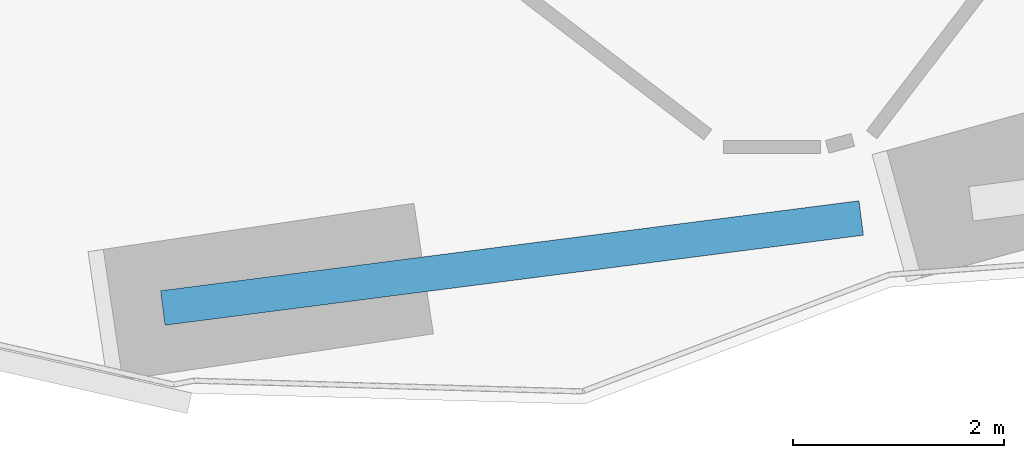
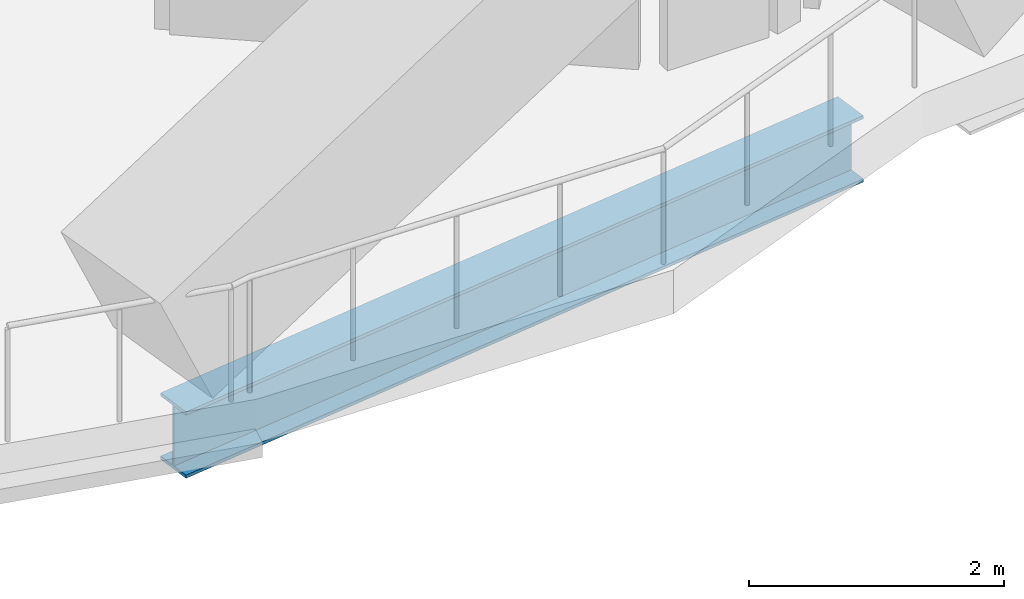
# One storey, part 3 of 29: 1 beam.
"""IFC4 building model written with IfcOpenShell, lengths in metres."""

from ifc_helpers import new_model, si_unit, direction, frame, origin, origin_2d, place, context, subcontext, project, spatial, i_section, extrude, material, material_profile, profile_set, type_object, element, save


model = new_model("IFC4")

# Units and contexts
model_context = context("Model", 3, precision=1e-05, world=origin(), true_north=direction((0.0, 1.0)))
body_context = subcontext(model_context, "Body", "Model", "MODEL_VIEW")
ifc_project = project(units=[si_unit("LENGTHUNIT", "METRE"), si_unit("AREAUNIT", "SQUARE_METRE"), si_unit("VOLUMEUNIT", "CUBIC_METRE"), si_unit("PLANEANGLEUNIT", "RADIAN"), si_unit("MASSUNIT", "GRAM", prefix="KILO")], contexts=[model_context])

# Site, building, storey
site_placement = place(None, origin())
site = spatial("IfcSite", under=ifc_project, at=site_placement, CompositionType="ELEMENT")
building_placement = place(site_placement, origin())
building = spatial("IfcBuilding", under=site, at=building_placement, Name="Orlundy Tower", CompositionType="ELEMENT")
storey_placement = place(building_placement, frame((0.0, 0.0, 184.60009765625)))
storey = spatial("IfcBuildingStorey", under=building, at=storey_placement, Name="L48", CompositionType="ELEMENT", Elevation=184.60009765625)

# Beam
ifc_material = material(Name="Steel ASTM A992 Gr 50", Category="steel")
ifc_material_profile = material_profile(ifc_material, i_section(OverallWidth=0.3291015625, OverallDepth=0.635009765625, WebThickness=0.017822265625, FlangeThickness=0.031005859375, at=origin_2d()), Name="W24X162")
ifc_profile_set = profile_set([ifc_material_profile], Name="Steel ASTM A992 Gr 50")
beam_type = type_object("IfcBeamType", Name="CANTILEVER GIRDER beam W24X162", PredefinedType="BEAM", material=ifc_profile_set)
beam_placement = place(storey_placement, frame((3.127685546875, -59.6591796875, -0.737548828125), z_axis=(-0.9917989755, -0.127807637476, 0.0), x_axis=(0.127807637476, -0.9917989755, 0.0)))
element("IfcBeam", 1, at=beam_placement, inside=storey, type_object=beam_type, Name="Back-span girder C-B5-5 L48", PredefinedType="BEAM", context=body_context, shape_type="SweptSolid", body=[
    extrude(i_section(OverallWidth=0.3291015625, OverallDepth=0.635009765625, WebThickness=0.017822265625, FlangeThickness=0.031005859375, at=origin_2d()), origin(), (0.0, 0.0, 1.0), 6.67236328125),
])

save(model, "model.ifc")
